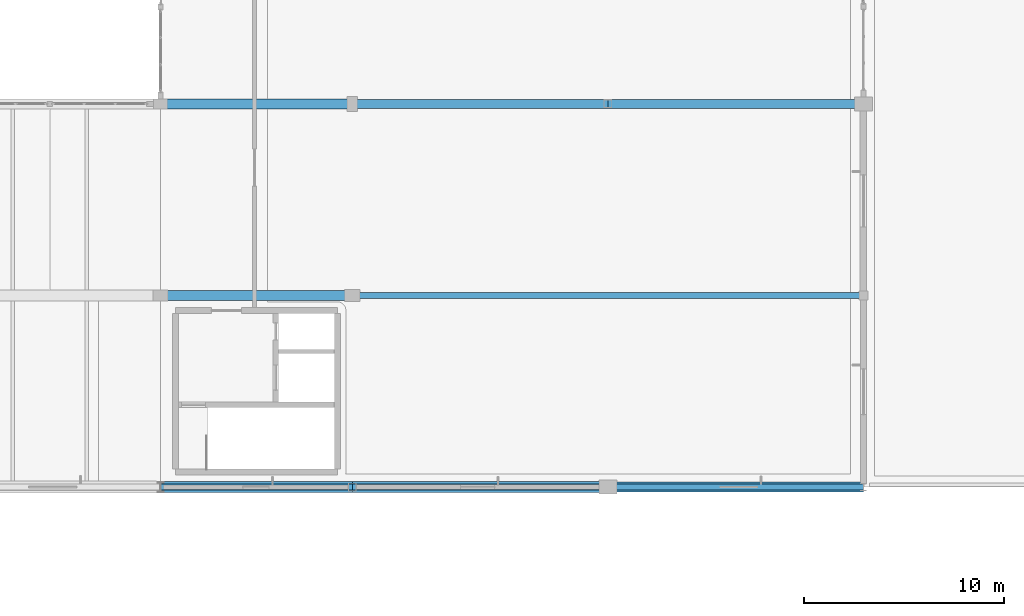
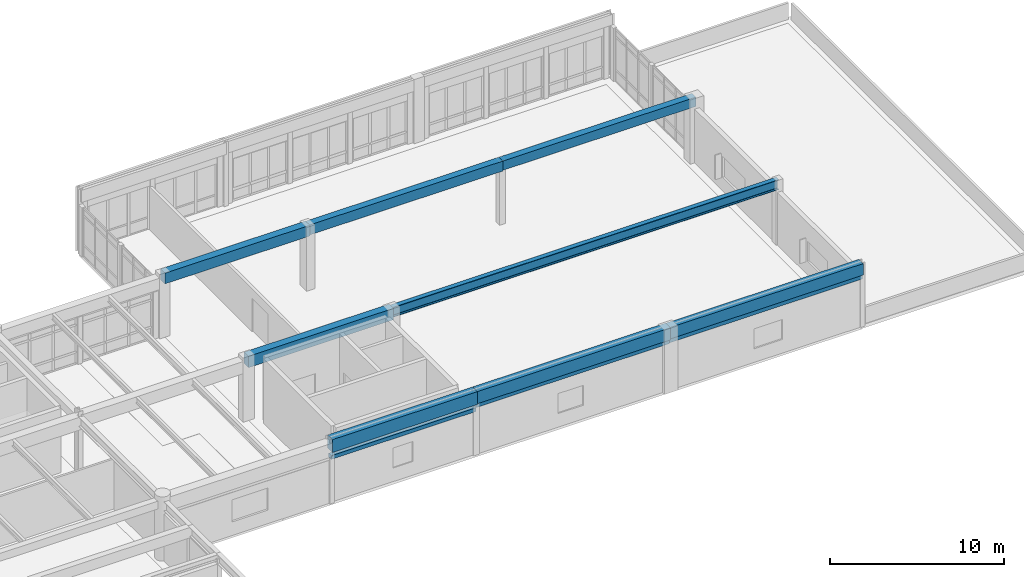
# One storey, part 44 of 80: 11 beams.
"""IFC4 building model written with IfcOpenShell, lengths in metres."""

from ifc_helpers import new_model, si_unit, direction, frame, origin, origin_2d, place, context, subcontext, project, spatial, rectangle, i_section, extrude, material, material_profile, profile_set, type_object, element, save


model = new_model("IFC4")

# Units and contexts
model_context = context("Model", 3, precision=1e-05, world=origin(), true_north=direction((0.0, 1.0)))
body_context = subcontext(model_context, "Body", "Model", "MODEL_VIEW")
ifc_project = project(units=[si_unit("LENGTHUNIT", "METRE"), si_unit("AREAUNIT", "SQUARE_METRE"), si_unit("VOLUMEUNIT", "CUBIC_METRE"), si_unit("PLANEANGLEUNIT", "RADIAN"), si_unit("MASSUNIT", "GRAM", prefix="KILO")], contexts=[model_context])

# Site, building, storey
site_placement = place(None, origin())
site = spatial("IfcSite", under=ifc_project, at=site_placement, CompositionType="ELEMENT")
building_placement = place(site_placement, origin())
building = spatial("IfcBuilding", under=site, at=building_placement, Name="Fikremerkos Civic Library", CompositionType="ELEMENT")
storey_placement = place(building_placement, frame((0.0, 0.0, 9.89990234375)))
storey = spatial("IfcBuildingStorey", under=building, at=storey_placement, Name="L02", CompositionType="ELEMENT", Elevation=9.89990234375)

# Beams
ifc_material_1 = material(Name="Concrete C40/50", Category="concrete")
ifc_material_profile_1 = material_profile(ifc_material_1, rectangle(XDim=0.300048828125, YDim=0.260009765625, at=origin_2d()), Name="RC 300x260")
ifc_profile_set_1 = profile_set([ifc_material_profile_1], Name="Concrete C40/50")
beam_type_1 = type_object("IfcBeamType", Name="Opening lintel LNT-02 RC 300x260", PredefinedType="LINTEL", material=ifc_profile_set_1)
for number, where, z_axis, x_axis, name in (
    (1, (160.0, 12.0, 3.47021484375), (-1.0, 0.0, 0.0), (0.0, -1.0, 0.0), "Courtyard window head lintel LNT-02 L02 #30"),
    (2, (147.199951171875, 12.0, 3.420166015625), (-1.0, 0.0, 0.0), (0.0, -1.0, 0.0), "Courtyard window head lintel LNT-02 L02 #31"),
):
    element("IfcBeam", number, at=place(storey_placement, frame(where, z_axis=z_axis, x_axis=x_axis)), inside=storey, type_object=beam_type_1, Name=name, PredefinedType="LINTEL", context=body_context, shape_type="SweptSolid", body=[
        extrude(rectangle(XDim=0.300048828125, YDim=0.260009765625, at=origin_2d()), origin(), (0.0, 0.0, 1.0), 12.800048828125),
    ])
beam_1_placement = place(storey_placement, frame((134.39990234375, 12.0, 3.150146484375), z_axis=(-1.0, 0.0, 0.0), x_axis=(0.0, -1.0, 0.0)))
element("IfcBeam", 3, at=beam_1_placement, inside=storey, type_object=beam_type_1, Name="Courtyard window head lintel LNT-02 L02 #32", PredefinedType="LINTEL", context=body_context, shape_type="SweptSolid", body=[
    extrude(rectangle(XDim=0.300048828125, YDim=0.260009765625, at=origin_2d()), origin(), (0.0, 0.0, 1.0), 9.599853515625),
])
ifc_material_profile_2 = material_profile(ifc_material_1, rectangle(XDim=0.550048828125, YDim=0.89990234375, at=origin_2d()), Name="RC 550x900")
ifc_profile_set_2 = profile_set([ifc_material_profile_2], Name="Concrete C40/50")
beam_type_2 = type_object("IfcBeamType", Name="Primary girder BM-02 RC 550x900", PredefinedType="BEAM", material=ifc_profile_set_2)
beam_2_placement = place(storey_placement, frame((124.800048828125, 12.0, 4.030029296875), z_axis=(1.0, 0.0, 0.0), x_axis=(0.0, 1.0, 0.0)))
element("IfcBeam", 4, at=beam_2_placement, inside=storey, type_object=beam_type_2, Name="Primary girder BM-02 L02 grid E", PredefinedType="BEAM", context=body_context, shape_type="SweptSolid", body=[
    extrude(rectangle(XDim=0.550048828125, YDim=0.89990234375, at=origin_2d()), origin(), (0.0, 0.0, 1.0), 9.599853515625),
])
ifc_material_profile_3 = material_profile(ifc_material_1, rectangle(XDim=0.550048828125, YDim=0.85009765625, at=origin_2d()), Name="RC 550x850")
ifc_profile_set_3 = profile_set([ifc_material_profile_3], Name="Concrete C40/50")
beam_type_3 = type_object("IfcBeamType", Name="Primary girder BM-03 RC 550x850", PredefinedType="BEAM", material=ifc_profile_set_3)
beam_3_placement = place(storey_placement, frame((134.39990234375, 12.0, 4.05517578125), z_axis=(1.0, 0.0, 0.0), x_axis=(0.0, 1.0, 0.0)))
element("IfcBeam", 5, at=beam_3_placement, inside=storey, type_object=beam_type_3, Name="Primary girder BM-03 L02 grid E", PredefinedType="BEAM", context=body_context, shape_type="SweptSolid", body=[
    extrude(rectangle(XDim=0.550048828125, YDim=0.85009765625, at=origin_2d()), origin(), (0.0, 0.0, 1.0), 12.800048828125),
])
ifc_material_profile_4 = material_profile(ifc_material_1, rectangle(XDim=0.5, YDim=0.800048828125, at=origin_2d()), Name="RC 500x800")
ifc_profile_set_4 = profile_set([ifc_material_profile_4], Name="Concrete C40/50")
beam_type_4 = type_object("IfcBeamType", Name="Primary girder BM-04 RC 500x800", PredefinedType="BEAM", material=ifc_profile_set_4)
beam_4_placement = place(storey_placement, frame((147.199951171875, 12.0, 4.080078125), z_axis=(1.0, 0.0, 0.0), x_axis=(0.0, 1.0, 0.0)))
element("IfcBeam", 6, at=beam_4_placement, inside=storey, type_object=beam_type_4, Name="Primary girder BM-04 L02 grid E", PredefinedType="BEAM", context=body_context, shape_type="SweptSolid", body=[
    extrude(rectangle(XDim=0.5, YDim=0.800048828125, at=origin_2d()), origin(), (0.0, 0.0, 1.0), 12.800048828125),
])
beam_5_placement = place(storey_placement, frame((124.800048828125, 21.60009765625, 4.080078125), z_axis=(1.0, 0.0, 0.0), x_axis=(0.0, 1.0, 0.0)))
element("IfcBeam", 7, at=beam_5_placement, inside=storey, type_object=beam_type_4, Name="Primary girder BM-04 L02 grid F", PredefinedType="BEAM", context=body_context, shape_type="SweptSolid", body=[
    extrude(rectangle(XDim=0.5, YDim=0.800048828125, at=origin_2d()), origin(), (0.0, 0.0, 1.0), 9.599853515625),
])
ifc_material_profile_5 = material_profile(ifc_material_1, rectangle(XDim=0.5, YDim=0.75, at=origin_2d()), Name="RC 500x750")
ifc_profile_set_5 = profile_set([ifc_material_profile_5], Name="Concrete C40/50")
beam_type_5 = type_object("IfcBeamType", Name="Primary girder BM-05 RC 500x750", PredefinedType="BEAM", material=ifc_profile_set_5)
beam_6_placement = place(storey_placement, frame((124.800048828125, 31.199951171875, 4.10498046875), z_axis=(1.0, 0.0, 0.0), x_axis=(0.0, 1.0, 0.0)))
element("IfcBeam", 8, at=beam_6_placement, inside=storey, type_object=beam_type_5, Name="Primary girder BM-05 L02 grid G", PredefinedType="BEAM", context=body_context, shape_type="SweptSolid", body=[
    extrude(rectangle(XDim=0.5, YDim=0.75, at=origin_2d()), origin(), (0.0, 0.0, 1.0), 9.599853515625),
])
ifc_material_profile_6 = material_profile(ifc_material_1, rectangle(XDim=0.449951171875, YDim=0.699951171875, at=origin_2d()), Name="RC 450x700")
ifc_profile_set_6 = profile_set([ifc_material_profile_6], Name="Concrete C40/50")
beam_type_6 = type_object("IfcBeamType", Name="Primary girder BM-06 RC 450x700", PredefinedType="BEAM", material=ifc_profile_set_6)
beam_7_placement = place(storey_placement, frame((134.39990234375, 31.199951171875, 4.130126953125), z_axis=(1.0, 0.0, 0.0), x_axis=(0.0, 1.0, 0.0)))
element("IfcBeam", 9, at=beam_7_placement, inside=storey, type_object=beam_type_6, Name="Primary girder BM-06 L02 grid G", PredefinedType="BEAM", context=body_context, shape_type="SweptSolid", body=[
    extrude(rectangle(XDim=0.449951171875, YDim=0.699951171875, at=origin_2d()), origin(), (0.0, 0.0, 1.0), 12.800048828125),
])
ifc_material_profile_7 = material_profile(ifc_material_1, rectangle(XDim=0.449951171875, YDim=0.64990234375, at=origin_2d()), Name="RC 450x650")
ifc_profile_set_7 = profile_set([ifc_material_profile_7], Name="Concrete C40/50")
beam_type_7 = type_object("IfcBeamType", Name="Primary girder BM-07 RC 450x650", PredefinedType="BEAM", material=ifc_profile_set_7)
beam_8_placement = place(storey_placement, frame((147.199951171875, 31.199951171875, 4.155029296875), z_axis=(1.0, 0.0, 0.0), x_axis=(0.0, 1.0, 0.0)))
element("IfcBeam", 10, at=beam_8_placement, inside=storey, type_object=beam_type_7, Name="Primary girder BM-07 L02 grid G", PredefinedType="BEAM", context=body_context, shape_type="SweptSolid", body=[
    extrude(rectangle(XDim=0.449951171875, YDim=0.64990234375, at=origin_2d()), origin(), (0.0, 0.0, 1.0), 12.800048828125),
])
ifc_material_2 = material(Name="Steel S355", Category="steel")
ifc_material_profile_8 = material_profile(ifc_material_2, i_section(OverallWidth=0.300048828125, OverallDepth=0.699951171875, WebThickness=0.01708984375, FlangeThickness=0.031982421875, FilletRadius=0.027099609375, at=origin_2d()), Name="HEB 700")
ifc_profile_set_8 = profile_set([ifc_material_profile_8], Name="Steel S355")
beam_type_8 = type_object("IfcBeamType", Name="Primary girder BM-11 HEB 700", PredefinedType="BEAM", material=ifc_profile_set_8)
beam_9_placement = place(storey_placement, frame((134.39990234375, 21.60009765625, 4.130126953125), z_axis=(1.0, 0.0, 0.0), x_axis=(0.0, 1.0, 0.0)))
element("IfcBeam", 11, at=beam_9_placement, inside=storey, type_object=beam_type_8, Name="Primary girder BM-11 L02 grid F", PredefinedType="BEAM", context=body_context, shape_type="SweptSolid", body=[
    extrude(i_section(OverallWidth=0.300048828125, OverallDepth=0.699951171875, WebThickness=0.01708984375, FlangeThickness=0.031982421875, FilletRadius=0.027099609375, at=origin_2d()), origin(), (0.0, 0.0, 1.0), 25.60009765625),
])

save(model, "model.ifc")
